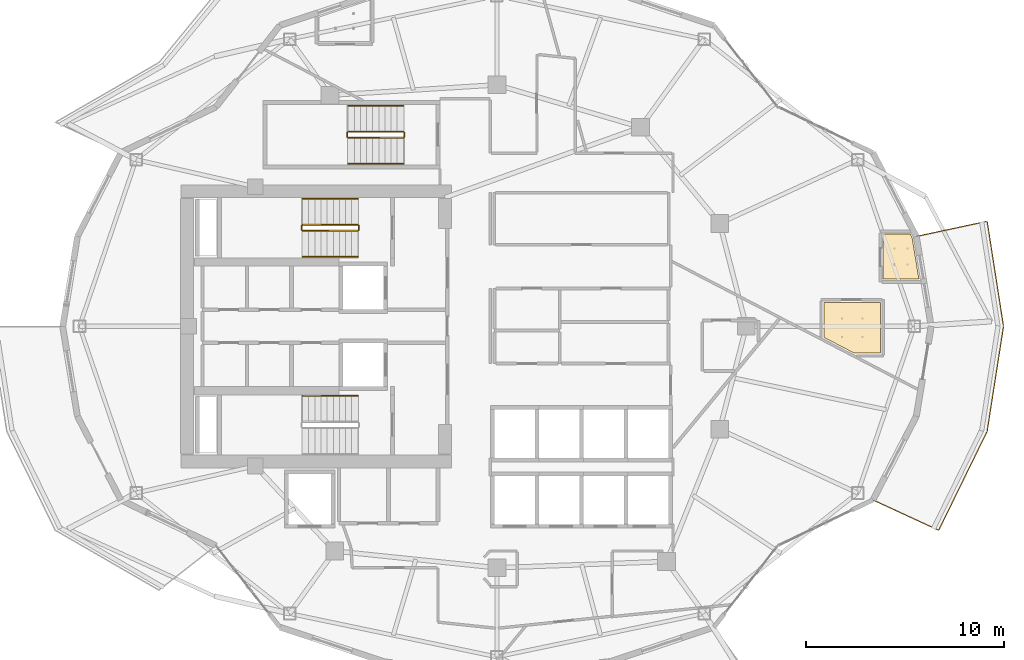
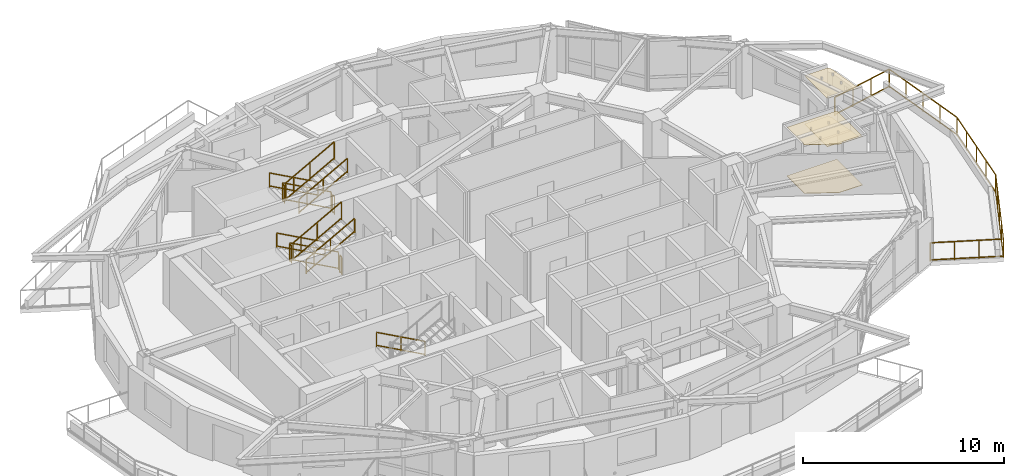
# One storey, part 17 of 18: 14 railings, 4 coverings.
"""IFC4 building model written with IfcOpenShell, lengths in metres."""

from ifc_helpers import new_model, si_unit, direction, frame, origin, origin_2d, place, context, subcontext, project, spatial, polyline, rectangle, outline, extrude, material, layer, layer_set, type_object, element, save


model = new_model("IFC4")

# Units and contexts
model_context = context("Model", 3, precision=1e-05, world=origin(), true_north=direction((0.0, 1.0)))
body_context = subcontext(model_context, "Body", "Model", "MODEL_VIEW")
ifc_project = project(units=[si_unit("LENGTHUNIT", "METRE"), si_unit("AREAUNIT", "SQUARE_METRE"), si_unit("VOLUMEUNIT", "CUBIC_METRE"), si_unit("PLANEANGLEUNIT", "RADIAN"), si_unit("MASSUNIT", "GRAM", prefix="KILO")], contexts=[model_context])

# Site, building, storey
site_placement = place(None, origin())
site = spatial("IfcSite", under=ifc_project, at=site_placement, CompositionType="ELEMENT")
building_placement = place(site_placement, origin())
building = spatial("IfcBuilding", under=site, at=building_placement, Name="Kolvaren Gate Tower and Convention Centre", CompositionType="ELEMENT")
storey_placement = place(building_placement, frame((0.0, 0.0, 176.699951171875)))
storey = spatial("IfcBuildingStorey", under=building, at=storey_placement, Name="L46", CompositionType="ELEMENT", Elevation=176.699951171875)

# Coverings
ifc_material_1 = material(Name="Perforated Mineral-Fibre Acoustic Ceiling Tile 18 mm", Category="gypsum")
ifc_layer_1 = layer(ifc_material_1, 0.01806640625)
ifc_layer_set_1 = layer_set([ifc_layer_1], Name="Perforated Mineral-Fibre Acoustic Ceiling Tile 18 mm")
covering_type_1 = type_object("IfcCoveringType", Name="ARCH-COV-CEIL-18", PredefinedType="CEILING", material=ifc_layer_set_1)
covering_1_placement = place(storey_placement, frame((0.0, 0.0, 2.949951171875)))
element("IfcCovering", 1, at=covering_1_placement, inside=storey, type_object=covering_type_1, Name="Suite Principal Bedroom (HTL-L46-05) Acoustic Suspended Ceiling", PredefinedType="CEILING", context=body_context, shape_type="SweptSolid", body=[
    extrude(outline(polyline([(46.639892578125, 28.2099609375), (49.510009765625, 28.2099609375), (49.510009765625, 25.639892578125), (48.18994140625, 25.639892578125), (46.639892578125, 26.446044921875), (46.639892578125, 28.2099609375)])), origin(), (0.0, 0.0, 1.0), 0.01806640625),
])
covering_2_placement = place(storey_placement, frame((0.0, 0.0, 2.949951171875)))
element("IfcCovering", 2, at=covering_2_placement, inside=storey, type_object=covering_type_1, Name="En-suite Bathroom (HTL-L46-05) Acoustic Suspended Ceiling", PredefinedType="CEILING", context=body_context, shape_type="SweptSolid", body=[
    extrude(outline(polyline([(49.639892578125, 29.389892578125), (49.639892578125, 31.659912109375), (51.006103515625, 31.659912109375), (51.10302734375, 31.471923828125), (51.446044921875, 29.389892578125), (49.639892578125, 29.389892578125)])), origin(), (0.0, 0.0, 1.0), 0.01806640625),
])
ifc_material_2 = material(Name="Honed Sabana Limestone Terrazzo Flooring 30 mm", Category="masonry")
ifc_layer_2 = layer(ifc_material_2, 0.030029296875)
ifc_layer_set_2 = layer_set([ifc_layer_2], Name="Honed Sabana Limestone Terrazzo Flooring 30 mm")
covering_type_2 = type_object("IfcCoveringType", Name="ARCH-COV-FLR-30", PredefinedType="FLOORING", material=ifc_layer_set_2)
covering_3_placement = place(storey_placement, origin())
element("IfcCovering", 3, at=covering_3_placement, inside=storey, type_object=covering_type_2, Name="En-suite Bathroom (HTL-L46-05) Interior Finish Flooring", PredefinedType="FLOORING", context=body_context, shape_type="SweptSolid", body=[
    extrude(outline(polyline([(49.639892578125, 29.389892578125), (49.639892578125, 31.659912109375), (51.006103515625, 31.659912109375), (51.10302734375, 31.471923828125), (51.446044921875, 29.389892578125), (49.639892578125, 29.389892578125)])), origin(), (0.0, 0.0, 1.0), 0.030029296875),
])
ifc_material_3 = material(Name="FSC Andean Oak Engineered Parquet Flooring 22 mm", Category="wood")
ifc_layer_3 = layer(ifc_material_3, 0.02197265625)
ifc_layer_set_3 = layer_set([ifc_layer_3], Name="FSC Andean Oak Engineered Parquet Flooring 22 mm")
covering_type_3 = type_object("IfcCoveringType", Name="ARCH-COV-WOOD-22", PredefinedType="FLOORING", material=ifc_layer_set_3)
covering_4_placement = place(storey_placement, origin())
element("IfcCovering", 4, at=covering_4_placement, inside=storey, type_object=covering_type_3, Name="Suite Principal Bedroom (HTL-L46-05) Interior Finish Flooring", PredefinedType="FLOORING", context=body_context, shape_type="SweptSolid", body=[
    extrude(outline(polyline([(46.639892578125, 28.2099609375), (49.510009765625, 28.2099609375), (49.510009765625, 25.639892578125), (48.18994140625, 25.639892578125), (46.639892578125, 26.446044921875), (46.639892578125, 28.2099609375)])), origin(), (0.0, 0.0, 1.0), 0.02197265625),
])

# Railings
ifc_material_4 = material(Name="Brushed Stainless Steel Grade 316L", Category="steel")
railing_type_1 = type_object("IfcRailingType", Name="ARCH-RL-GUARD-1150", PredefinedType="GUARDRAIL", material=ifc_material_4)
railing_1_placement = place(storey_placement, frame((23.10009765625, 32.1298828125, 0.170166015625)))
element("IfcRailing", 5, at=railing_1_placement, inside=storey, type_object=railing_type_1, Name="L46 ST-T1 stair guard 1", PredefinedType="GUARDRAIL", context=body_context, shape_type="SweptSolid", body=[
    extrude(rectangle(XDim=0.048095703125, YDim=0.048095703125, at=origin_2d()), frame((0.0, 0.0, 1.076171875), z_axis=(-0.876843711699, 0.0, 0.480775524808), x_axis=(0.0, -1.0, 0.0)), (0.0, 0.0, 1.0), 3.181884765625),
    extrude(rectangle(XDim=0.048095703125, YDim=0.048095703125, at=origin_2d()), frame((0.0, 0.0, 0.083984375), z_axis=(-0.876843711699, 0.0, 0.480775524808), x_axis=(0.0, -1.0, 0.0)), (0.0, 0.0, 1.0), 3.181884765625),
    extrude(rectangle(XDim=0.0419921875, YDim=0.0419921875, at=origin_2d()), origin(), (0.0, 0.0, 1.0), 1.050048828125),
    extrude(rectangle(XDim=0.0419921875, YDim=0.0419921875, at=origin_2d()), frame((-2.7900390625, 0.0, 1.52978515625)), (0.0, 0.0, 1.0), 1.050048828125),
    extrude(rectangle(XDim=0.0419921875, YDim=0.0419921875, at=origin_2d()), frame((-1.39501953125, 0.0, 0.764892578125)), (0.0, 0.0, 1.0), 1.050048828125),
])
railing_2_placement = place(storey_placement, frame((20.260009765625, 32.080078125, 1.699951171875)))
element("IfcRailing", 6, at=railing_2_placement, inside=storey, type_object=railing_type_1, Name="L46 ST-T1 stair guard 2", PredefinedType="GUARDRAIL", context=body_context, shape_type="SweptSolid", body=[
    extrude(rectangle(XDim=0.048095703125, YDim=0.048095703125, at=origin_2d()), frame((0.0, 0.0, 1.076171875), z_axis=(0.0, -1.0, 0.0), x_axis=(1.0, 0.0, 0.0)), (0.0, 0.0, 1.0), 0.2001953125),
    extrude(rectangle(XDim=0.048095703125, YDim=0.048095703125, at=origin_2d()), frame((0.0, 0.0, 0.083984375), z_axis=(0.0, -1.0, 0.0), x_axis=(1.0, 0.0, 0.0)), (0.0, 0.0, 1.0), 0.2001953125),
    extrude(rectangle(XDim=0.0419921875, YDim=0.0419921875, at=origin_2d()), origin(), (0.0, 0.0, 1.0), 1.050048828125),
    extrude(rectangle(XDim=0.0419921875, YDim=0.0419921875, at=origin_2d()), frame((0.0, -0.2001953125, 0.0)), (0.0, 0.0, 1.0), 1.050048828125),
])
railing_3_placement = place(storey_placement, frame((20.31005859375, 31.830078125, 1.8701171875)))
element("IfcRailing", 7, at=railing_3_placement, inside=storey, type_object=railing_type_1, Name="L46 ST-T1 stair guard 3", PredefinedType="GUARDRAIL", context=body_context, shape_type="SweptSolid", body=[
    extrude(rectangle(XDim=0.048095703125, YDim=0.048095703125, at=origin_2d()), frame((0.0, 0.0, 1.076171875), z_axis=(0.876811365212, 0.0, 0.480834513982), x_axis=(0.0, 1.0, 0.0)), (0.0, 0.0, 1.0), 3.18212890625),
    extrude(rectangle(XDim=0.048095703125, YDim=0.048095703125, at=origin_2d()), frame((0.0, 0.0, 0.083984375), z_axis=(0.876811365212, 0.0, 0.480834513982), x_axis=(0.0, 1.0, 0.0)), (0.0, 0.0, 1.0), 3.18212890625),
    extrude(rectangle(XDim=0.0419921875, YDim=0.0419921875, at=origin_2d()), origin(), (0.0, 0.0, 1.0), 1.050048828125),
    extrude(rectangle(XDim=0.0419921875, YDim=0.0419921875, at=origin_2d()), frame((2.7900390625, 0.0, 1.530029296875)), (0.0, 0.0, 1.0), 1.050048828125),
    extrude(rectangle(XDim=0.0419921875, YDim=0.0419921875, at=origin_2d()), frame((1.39501953125, 0.0, 0.76513671875)), (0.0, 0.0, 1.0), 1.050048828125),
])
railing_4_placement = place(storey_placement, frame((23.14990234375, 32.080078125, 0.0)))
element("IfcRailing", 8, at=railing_4_placement, inside=storey, type_object=railing_type_1, Name="L46 ST-T1 stair guard 4", PredefinedType="GUARDRAIL", context=body_context, shape_type="SweptSolid", body=[
    extrude(rectangle(XDim=0.048095703125, YDim=0.048095703125, at=origin_2d()), frame((0.0, 0.0, 1.076171875), z_axis=(0.0, -1.0, 0.0), x_axis=(1.0, 0.0, 0.0)), (0.0, 0.0, 1.0), 0.2001953125),
    extrude(rectangle(XDim=0.048095703125, YDim=0.048095703125, at=origin_2d()), frame((0.0, 0.0, 0.083984375), z_axis=(0.0, -1.0, 0.0), x_axis=(1.0, 0.0, 0.0)), (0.0, 0.0, 1.0), 0.2001953125),
    extrude(rectangle(XDim=0.0419921875, YDim=0.0419921875, at=origin_2d()), origin(), (0.0, 0.0, 1.0), 1.050048828125),
    extrude(rectangle(XDim=0.0419921875, YDim=0.0419921875, at=origin_2d()), frame((0.0, -0.2001953125, 0.0)), (0.0, 0.0, 1.0), 1.050048828125),
])
railing_5_placement = place(storey_placement, frame((25.39990234375, 36.830078125, 0.170166015625)))
element("IfcRailing", 9, at=railing_5_placement, inside=storey, type_object=railing_type_1, Name="L46 ST-T3 stair guard 1", PredefinedType="GUARDRAIL", context=body_context, shape_type="SweptSolid", body=[
    extrude(rectangle(XDim=0.048095703125, YDim=0.048095703125, at=origin_2d()), frame((0.0, 0.0, 1.076171875), z_axis=(-0.876825974686, 0.0, 0.480807872353), x_axis=(0.0, -1.0, 0.0)), (0.0, 0.0, 1.0), 3.181640625),
    extrude(rectangle(XDim=0.048095703125, YDim=0.048095703125, at=origin_2d()), frame((0.0, 0.0, 0.083984375), z_axis=(-0.876825974686, 0.0, 0.480807872353), x_axis=(0.0, -1.0, 0.0)), (0.0, 0.0, 1.0), 3.181640625),
    extrude(rectangle(XDim=0.0419921875, YDim=0.0419921875, at=origin_2d()), origin(), (0.0, 0.0, 1.0), 1.050048828125),
    extrude(rectangle(XDim=0.0419921875, YDim=0.0419921875, at=origin_2d()), frame((-2.789794921875, 0.0, 1.52978515625)), (0.0, 0.0, 1.0), 1.050048828125),
    extrude(rectangle(XDim=0.0419921875, YDim=0.0419921875, at=origin_2d()), frame((-1.39501953125, 0.0, 0.764892578125)), (0.0, 0.0, 1.0), 1.050048828125),
])
railing_6_placement = place(storey_placement, frame((22.56005859375, 36.780029296875, 1.699951171875)))
element("IfcRailing", 10, at=railing_6_placement, inside=storey, type_object=railing_type_1, Name="L46 ST-T3 stair guard 2", PredefinedType="GUARDRAIL", context=body_context, shape_type="SweptSolid", body=[
    extrude(rectangle(XDim=0.048095703125, YDim=0.048095703125, at=origin_2d()), frame((0.0, 0.0, 1.076171875), z_axis=(0.0, -1.0, 0.0), x_axis=(1.0, 0.0, 0.0)), (0.0, 0.0, 1.0), 0.199951171875),
    extrude(rectangle(XDim=0.048095703125, YDim=0.048095703125, at=origin_2d()), frame((0.0, 0.0, 0.083984375), z_axis=(0.0, -1.0, 0.0), x_axis=(1.0, 0.0, 0.0)), (0.0, 0.0, 1.0), 0.199951171875),
    extrude(rectangle(XDim=0.0419921875, YDim=0.0419921875, at=origin_2d()), origin(), (0.0, 0.0, 1.0), 1.050048828125),
    extrude(rectangle(XDim=0.0419921875, YDim=0.0419921875, at=origin_2d()), frame((0.0, -0.199951171875, 0.0)), (0.0, 0.0, 1.0), 1.050048828125),
])
railing_7_placement = place(storey_placement, frame((22.610107421875, 36.530029296875, 1.8701171875)))
element("IfcRailing", 11, at=railing_7_placement, inside=storey, type_object=railing_type_1, Name="L46 ST-T3 stair guard 3", PredefinedType="GUARDRAIL", context=body_context, shape_type="SweptSolid", body=[
    extrude(rectangle(XDim=0.048095703125, YDim=0.048095703125, at=origin_2d()), frame((0.0, 0.0, 1.076171875), z_axis=(0.8767936245, 0.0, 0.480866863109), x_axis=(0.0, 1.0, 0.0)), (0.0, 0.0, 1.0), 3.181884765625),
    extrude(rectangle(XDim=0.048095703125, YDim=0.048095703125, at=origin_2d()), frame((0.0, 0.0, 0.083984375), z_axis=(0.8767936245, 0.0, 0.480866863109), x_axis=(0.0, 1.0, 0.0)), (0.0, 0.0, 1.0), 3.181884765625),
    extrude(rectangle(XDim=0.0419921875, YDim=0.0419921875, at=origin_2d()), origin(), (0.0, 0.0, 1.0), 1.050048828125),
    extrude(rectangle(XDim=0.0419921875, YDim=0.0419921875, at=origin_2d()), frame((2.789794921875, 0.0, 1.530029296875)), (0.0, 0.0, 1.0), 1.050048828125),
    extrude(rectangle(XDim=0.0419921875, YDim=0.0419921875, at=origin_2d()), frame((1.39501953125, 0.0, 0.76513671875)), (0.0, 0.0, 1.0), 1.050048828125),
])
railing_8_placement = place(storey_placement, frame((25.449951171875, 36.780029296875, 0.0)))
element("IfcRailing", 12, at=railing_8_placement, inside=storey, type_object=railing_type_1, Name="L46 ST-T3 stair guard 4", PredefinedType="GUARDRAIL", context=body_context, shape_type="SweptSolid", body=[
    extrude(rectangle(XDim=0.048095703125, YDim=0.048095703125, at=origin_2d()), frame((0.0, 0.0, 1.076171875), z_axis=(0.0, -1.0, 0.0), x_axis=(1.0, 0.0, 0.0)), (0.0, 0.0, 1.0), 0.199951171875),
    extrude(rectangle(XDim=0.048095703125, YDim=0.048095703125, at=origin_2d()), frame((0.0, 0.0, 0.083984375), z_axis=(0.0, -1.0, 0.0), x_axis=(1.0, 0.0, 0.0)), (0.0, 0.0, 1.0), 0.199951171875),
    extrude(rectangle(XDim=0.0419921875, YDim=0.0419921875, at=origin_2d()), origin(), (0.0, 0.0, 1.0), 1.050048828125),
    extrude(rectangle(XDim=0.0419921875, YDim=0.0419921875, at=origin_2d()), frame((0.0, -0.199951171875, 0.0)), (0.0, 0.0, 1.0), 1.050048828125),
])
railing_9_placement = place(storey_placement, frame((49.123291015625, 18.22509765625, 0.0)))
element("IfcRailing", 13, at=railing_9_placement, inside=storey, type_object=railing_type_1, Name="Tower L46 Terrace Perimeter Guardrail GR-4", PredefinedType="GUARDRAIL", context=body_context, shape_type="SweptSolid", body=[
    extrude(rectangle(XDim=0.048095703125, YDim=0.048095703125, at=origin_2d()), frame((0.025390625, -0.01171875, 1.1259765625), z_axis=(0.907820723829, -0.419358478377, 0.0), x_axis=(0.419358478377, 0.907820723829, 0.0)), (0.0, 0.0, 1.0), 3.60400390625),
    extrude(rectangle(XDim=0.048095703125, YDim=0.048095703125, at=origin_2d()), frame((0.025390625, -0.01171875, 0.083984375), z_axis=(0.907820723829, -0.419358478377, 0.0), x_axis=(0.419358478377, 0.907820723829, 0.0)), (0.0, 0.0, 1.0), 3.60400390625),
    extrude(rectangle(XDim=0.048095703125, YDim=0.048095703125, at=origin_2d()), frame((3.335205078125, -1.509765625, 1.1259765625), z_axis=(0.439655234701, 0.898166618507, 0.0), x_axis=(-0.898166618507, 0.439655234701, 0.0)), (0.0, 0.0, 1.0), 5.51123046875),
    extrude(rectangle(XDim=0.048095703125, YDim=0.048095703125, at=origin_2d()), frame((3.335205078125, -1.509765625, 0.083984375), z_axis=(0.439655234701, 0.898166618507, 0.0), x_axis=(-0.898166618507, 0.439655234701, 0.0)), (0.0, 0.0, 1.0), 5.51123046875),
    extrude(rectangle(XDim=0.048095703125, YDim=0.048095703125, at=origin_2d()), frame((5.77490234375, 3.493408203125, 1.1259765625), z_axis=(0.154200861408, 0.988039520637, 0.0), x_axis=(-0.988039520637, 0.154200861408, 0.0)), (0.0, 0.0, 1.0), 5.3173828125),
    extrude(rectangle(XDim=0.048095703125, YDim=0.048095703125, at=origin_2d()), frame((5.77490234375, 3.493408203125, 0.083984375), z_axis=(0.154200861408, 0.988039520637, 0.0), x_axis=(-0.988039520637, 0.154200861408, 0.0)), (0.0, 0.0, 1.0), 5.3173828125),
    extrude(rectangle(XDim=0.048095703125, YDim=0.048095703125, at=origin_2d()), frame((6.5947265625, 8.802734375, 1.1259765625), z_axis=(-0.154200861408, 0.988039520637, 0.0), x_axis=(-0.988039520637, -0.154200861408, 0.0)), (0.0, 0.0, 1.0), 5.3173828125),
    extrude(rectangle(XDim=0.048095703125, YDim=0.048095703125, at=origin_2d()), frame((6.5947265625, 8.802734375, 0.083984375), z_axis=(-0.154200861408, 0.988039520637, 0.0), x_axis=(-0.988039520637, -0.154200861408, 0.0)), (0.0, 0.0, 1.0), 5.3173828125),
    extrude(rectangle(XDim=0.048095703125, YDim=0.048095703125, at=origin_2d()), frame((5.7431640625, 14.078369140625, 1.1259765625), z_axis=(-0.977791675321, -0.209579196661, 0.0), x_axis=(0.209579196661, -0.977791675321, 0.0)), (0.0, 0.0, 1.0), 3.60400390625),
    extrude(rectangle(XDim=0.048095703125, YDim=0.048095703125, at=origin_2d()), frame((5.7431640625, 14.078369140625, 0.083984375), z_axis=(-0.977791675321, -0.209579196661, 0.0), x_axis=(0.209579196661, -0.977791675321, 0.0)), (0.0, 0.0, 1.0), 3.60400390625),
    extrude(rectangle(XDim=0.0419921875, YDim=0.0419921875, at=origin_2d()), origin(), (0.0, 0.0, 1.0), 1.14990234375),
    extrude(rectangle(XDim=0.0419921875, YDim=0.0419921875, at=origin_2d()), frame((3.32275390625, -1.534912109375, 0.0)), (0.0, 0.0, 1.0), 1.14990234375),
    extrude(rectangle(XDim=0.0419921875, YDim=0.0419921875, at=origin_2d()), frame((1.107666015625, -0.51171875, 0.0)), (0.0, 0.0, 1.0), 1.099853515625),
    extrude(rectangle(XDim=0.0419921875, YDim=0.0419921875, at=origin_2d()), frame((2.215087890625, -1.023193359375, 0.0)), (0.0, 0.0, 1.0), 1.099853515625),
    extrude(rectangle(XDim=0.0419921875, YDim=0.0419921875, at=origin_2d()), frame((5.7705078125, 3.465576171875, 0.0)), (0.0, 0.0, 1.0), 1.14990234375),
    extrude(rectangle(XDim=0.0419921875, YDim=0.0419921875, at=origin_2d()), frame((3.9345703125, -0.28466796875, 0.0)), (0.0, 0.0, 1.0), 1.099853515625),
    extrude(rectangle(XDim=0.0419921875, YDim=0.0419921875, at=origin_2d()), frame((4.546630859375, 0.96533203125, 0.0)), (0.0, 0.0, 1.0), 1.099853515625),
    extrude(rectangle(XDim=0.0419921875, YDim=0.0419921875, at=origin_2d()), frame((5.15869140625, 2.21533203125, 0.0)), (0.0, 0.0, 1.0), 1.099853515625),
    extrude(rectangle(XDim=0.0419921875, YDim=0.0419921875, at=origin_2d()), frame((6.59912109375, 8.77490234375, 0.0)), (0.0, 0.0, 1.0), 1.14990234375),
    extrude(rectangle(XDim=0.0419921875, YDim=0.0419921875, at=origin_2d()), frame((5.9775390625, 4.79296875, 0.0)), (0.0, 0.0, 1.0), 1.099853515625),
    extrude(rectangle(XDim=0.0419921875, YDim=0.0419921875, at=origin_2d()), frame((6.184814453125, 6.1201171875, 0.0)), (0.0, 0.0, 1.0), 1.099853515625),
    extrude(rectangle(XDim=0.0419921875, YDim=0.0419921875, at=origin_2d()), frame((6.39208984375, 7.447509765625, 0.0)), (0.0, 0.0, 1.0), 1.099853515625),
    extrude(rectangle(XDim=0.0419921875, YDim=0.0419921875, at=origin_2d()), frame((5.7705078125, 14.084228515625, 0.0)), (0.0, 0.0, 1.0), 1.14990234375),
    extrude(rectangle(XDim=0.0419921875, YDim=0.0419921875, at=origin_2d()), frame((6.39208984375, 10.102294921875, 0.0)), (0.0, 0.0, 1.0), 1.099853515625),
    extrude(rectangle(XDim=0.0419921875, YDim=0.0419921875, at=origin_2d()), frame((6.184814453125, 11.4296875, 0.0)), (0.0, 0.0, 1.0), 1.099853515625),
    extrude(rectangle(XDim=0.0419921875, YDim=0.0419921875, at=origin_2d()), frame((5.9775390625, 12.7568359375, 0.0)), (0.0, 0.0, 1.0), 1.099853515625),
    extrude(rectangle(XDim=0.0419921875, YDim=0.0419921875, at=origin_2d()), frame((2.191650390625, 13.317138671875, 0.0)), (0.0, 0.0, 1.0), 1.14990234375),
    extrude(rectangle(XDim=0.0419921875, YDim=0.0419921875, at=origin_2d()), frame((4.57763671875, 13.82861328125, 0.0)), (0.0, 0.0, 1.0), 1.099853515625),
    extrude(rectangle(XDim=0.0419921875, YDim=0.0419921875, at=origin_2d()), frame((3.384521484375, 13.57275390625, 0.0)), (0.0, 0.0, 1.0), 1.099853515625),
])
railing_type_2 = type_object("IfcRailingType", Name="ARCH-RL-HANDRAIL-920", PredefinedType="HANDRAIL", material=ifc_material_4)
railing_10_placement = place(storey_placement, frame((23.10009765625, 33.449951171875, 0.170166015625)))
element("IfcRailing", 14, at=railing_10_placement, inside=storey, type_object=railing_type_2, Name="L46 ST-T1 stair handrail 1", PredefinedType="HANDRAIL", context=body_context, shape_type="SweptSolid", body=[
    extrude(rectangle(XDim=0.048095703125, YDim=0.048095703125, at=origin_2d()), frame((0.0, 0.0, 0.8759765625), z_axis=(-0.876843711699, 0.0, 0.480775524808), x_axis=(0.0, -1.0, 0.0)), (0.0, 0.0, 1.0), 3.181884765625),
    extrude(rectangle(XDim=0.048095703125, YDim=0.048095703125, at=origin_2d()), frame((0.0, 0.0, 0.083984375), z_axis=(-0.876843711699, 0.0, 0.480775524808), x_axis=(0.0, -1.0, 0.0)), (0.0, 0.0, 1.0), 3.181884765625),
    extrude(rectangle(XDim=0.0419921875, YDim=0.0419921875, at=origin_2d()), origin(), (0.0, 0.0, 1.0), 0.849853515625),
    extrude(rectangle(XDim=0.0419921875, YDim=0.0419921875, at=origin_2d()), frame((-2.7900390625, 0.0, 1.52978515625)), (0.0, 0.0, 1.0), 0.849853515625),
    extrude(rectangle(XDim=0.0419921875, YDim=0.0419921875, at=origin_2d()), frame((-1.39501953125, 0.0, 0.764892578125)), (0.0, 0.0, 1.0), 0.849853515625),
])
railing_11_placement = place(storey_placement, frame((20.31005859375, 30.510009765625, 1.8701171875)))
element("IfcRailing", 15, at=railing_11_placement, inside=storey, type_object=railing_type_2, Name="L46 ST-T1 stair handrail 2", PredefinedType="HANDRAIL", context=body_context, shape_type="SweptSolid", body=[
    extrude(rectangle(XDim=0.048095703125, YDim=0.048095703125, at=origin_2d()), frame((0.0, 0.0, 0.8759765625), z_axis=(0.876811365212, 0.0, 0.480834513982), x_axis=(0.0, 1.0, 0.0)), (0.0, 0.0, 1.0), 3.18212890625),
    extrude(rectangle(XDim=0.048095703125, YDim=0.048095703125, at=origin_2d()), frame((0.0, 0.0, 0.083984375), z_axis=(0.876811365212, 0.0, 0.480834513982), x_axis=(0.0, 1.0, 0.0)), (0.0, 0.0, 1.0), 3.18212890625),
    extrude(rectangle(XDim=0.0419921875, YDim=0.0419921875, at=origin_2d()), origin(), (0.0, 0.0, 1.0), 0.849853515625),
    extrude(rectangle(XDim=0.0419921875, YDim=0.0419921875, at=origin_2d()), frame((2.7900390625, 0.0, 1.530029296875)), (0.0, 0.0, 1.0), 0.849853515625),
    extrude(rectangle(XDim=0.0419921875, YDim=0.0419921875, at=origin_2d()), frame((1.39501953125, 0.0, 0.76513671875)), (0.0, 0.0, 1.0), 0.849853515625),
])
railing_12_placement = place(storey_placement, frame((23.10009765625, 23.489990234375, 0.170166015625)))
element("IfcRailing", 16, at=railing_12_placement, inside=storey, type_object=railing_type_2, Name="L46 ST-T2 stair handrail 1", PredefinedType="HANDRAIL", context=body_context, shape_type="SweptSolid", body=[
    extrude(rectangle(XDim=0.048095703125, YDim=0.048095703125, at=origin_2d()), frame((0.0, 0.0, 0.8759765625), z_axis=(-0.876843711699, 0.0, 0.480775524808), x_axis=(0.0, -1.0, 0.0)), (0.0, 0.0, 1.0), 3.181884765625),
    extrude(rectangle(XDim=0.048095703125, YDim=0.048095703125, at=origin_2d()), frame((0.0, 0.0, 0.083984375), z_axis=(-0.876843711699, 0.0, 0.480775524808), x_axis=(0.0, -1.0, 0.0)), (0.0, 0.0, 1.0), 3.181884765625),
    extrude(rectangle(XDim=0.0419921875, YDim=0.0419921875, at=origin_2d()), origin(), (0.0, 0.0, 1.0), 0.849853515625),
    extrude(rectangle(XDim=0.0419921875, YDim=0.0419921875, at=origin_2d()), frame((-2.7900390625, 0.0, 1.52978515625)), (0.0, 0.0, 1.0), 0.849853515625),
    extrude(rectangle(XDim=0.0419921875, YDim=0.0419921875, at=origin_2d()), frame((-1.39501953125, 0.0, 0.764892578125)), (0.0, 0.0, 1.0), 0.849853515625),
])
railing_13_placement = place(storey_placement, frame((25.39990234375, 38.14990234375, 0.170166015625)))
element("IfcRailing", 17, at=railing_13_placement, inside=storey, type_object=railing_type_2, Name="L46 ST-T3 stair handrail 1", PredefinedType="HANDRAIL", context=body_context, shape_type="SweptSolid", body=[
    extrude(rectangle(XDim=0.048095703125, YDim=0.048095703125, at=origin_2d()), frame((0.0, 0.0, 0.8759765625), z_axis=(-0.876825974686, 0.0, 0.480807872353), x_axis=(0.0, -1.0, 0.0)), (0.0, 0.0, 1.0), 3.181640625),
    extrude(rectangle(XDim=0.048095703125, YDim=0.048095703125, at=origin_2d()), frame((0.0, 0.0, 0.083984375), z_axis=(-0.876825974686, 0.0, 0.480807872353), x_axis=(0.0, -1.0, 0.0)), (0.0, 0.0, 1.0), 3.181640625),
    extrude(rectangle(XDim=0.0419921875, YDim=0.0419921875, at=origin_2d()), origin(), (0.0, 0.0, 1.0), 0.849853515625),
    extrude(rectangle(XDim=0.0419921875, YDim=0.0419921875, at=origin_2d()), frame((-2.789794921875, 0.0, 1.52978515625)), (0.0, 0.0, 1.0), 0.849853515625),
    extrude(rectangle(XDim=0.0419921875, YDim=0.0419921875, at=origin_2d()), frame((-1.39501953125, 0.0, 0.764892578125)), (0.0, 0.0, 1.0), 0.849853515625),
])
railing_14_placement = place(storey_placement, frame((22.610107421875, 35.2099609375, 1.8701171875)))
element("IfcRailing", 18, at=railing_14_placement, inside=storey, type_object=railing_type_2, Name="L46 ST-T3 stair handrail 2", PredefinedType="HANDRAIL", context=body_context, shape_type="SweptSolid", body=[
    extrude(rectangle(XDim=0.048095703125, YDim=0.048095703125, at=origin_2d()), frame((0.0, 0.0, 0.8759765625), z_axis=(0.8767936245, 0.0, 0.480866863109), x_axis=(0.0, 1.0, 0.0)), (0.0, 0.0, 1.0), 3.181884765625),
    extrude(rectangle(XDim=0.048095703125, YDim=0.048095703125, at=origin_2d()), frame((0.0, 0.0, 0.083984375), z_axis=(0.8767936245, 0.0, 0.480866863109), x_axis=(0.0, 1.0, 0.0)), (0.0, 0.0, 1.0), 3.181884765625),
    extrude(rectangle(XDim=0.0419921875, YDim=0.0419921875, at=origin_2d()), origin(), (0.0, 0.0, 1.0), 0.849853515625),
    extrude(rectangle(XDim=0.0419921875, YDim=0.0419921875, at=origin_2d()), frame((2.789794921875, 0.0, 1.530029296875)), (0.0, 0.0, 1.0), 0.849853515625),
    extrude(rectangle(XDim=0.0419921875, YDim=0.0419921875, at=origin_2d()), frame((1.39501953125, 0.0, 0.76513671875)), (0.0, 0.0, 1.0), 0.849853515625),
])

save(model, "model.ifc")
